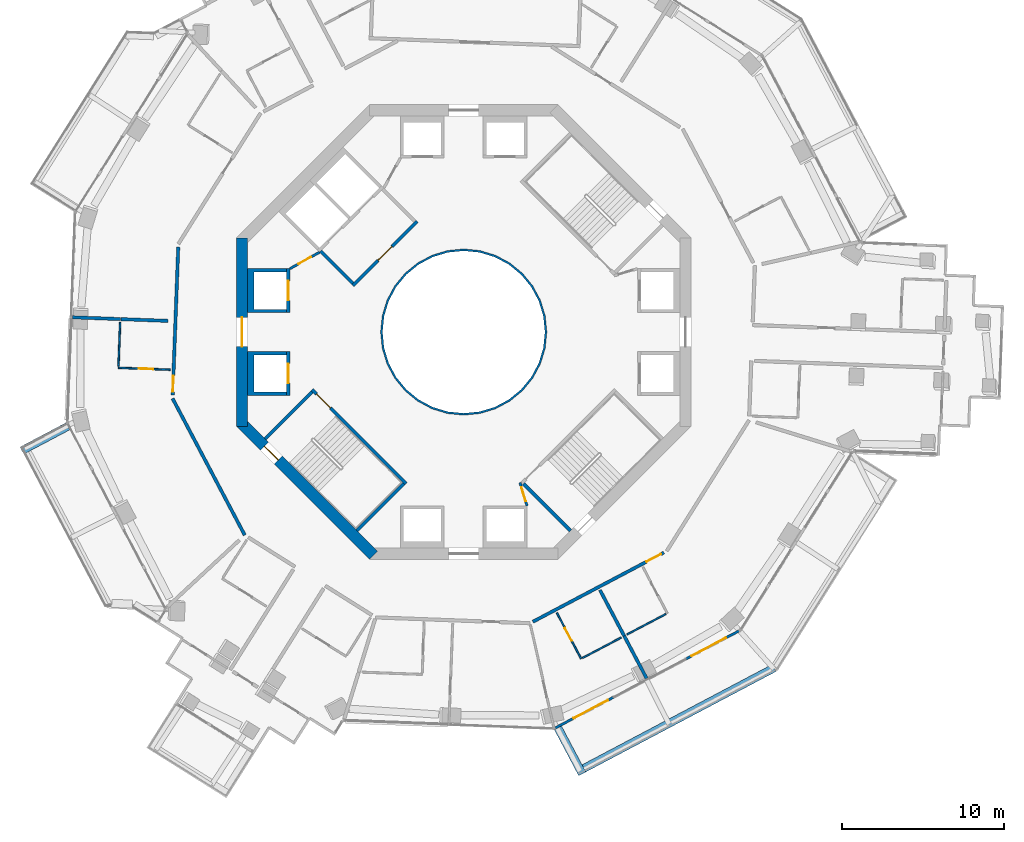
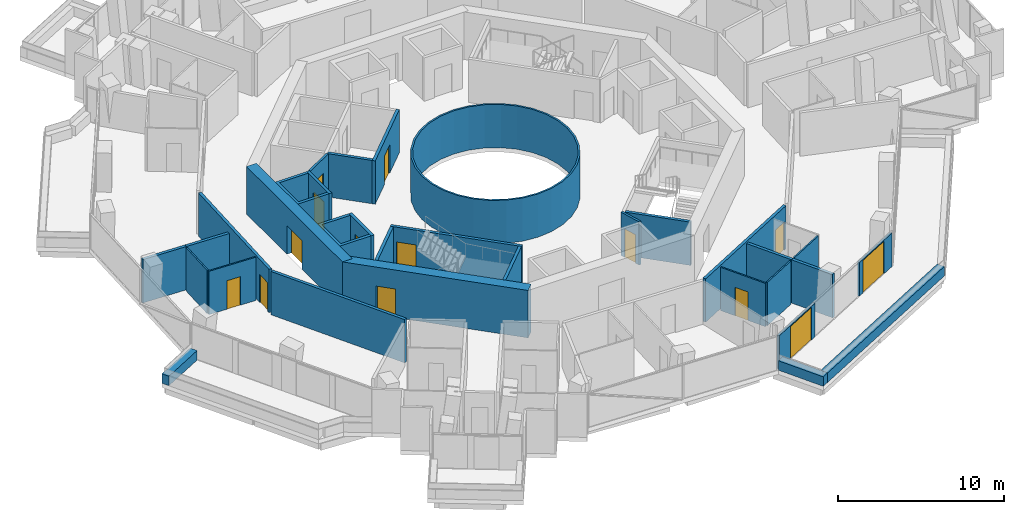
# One storey, part 16 of 23: 32 walls, 14 doors, 14 openings.
"""IFC4 building model written with IfcOpenShell, lengths in metres."""

from ifc_helpers import new_model, si_unit, direction, frame, frame_2d, origin, place, context, subcontext, project, spatial, polyline, rectangle, outline, extrude, material, layer, layer_set, type_object, element, fill, save


model = new_model("IFC4")

# Units and contexts
model_context = context("Model", 3, precision=1e-05, world=origin(), true_north=direction((0.0, 1.0)))
body_context = subcontext(model_context, "Body", "Model", "MODEL_VIEW")
ifc_project = project(units=[si_unit("LENGTHUNIT", "METRE"), si_unit("AREAUNIT", "SQUARE_METRE"), si_unit("VOLUMEUNIT", "CUBIC_METRE"), si_unit("PLANEANGLEUNIT", "RADIAN"), si_unit("MASSUNIT", "GRAM", prefix="KILO")], contexts=[model_context])

# Site, building, storey
site_placement = place(None, origin())
site = spatial("IfcSite", under=ifc_project, at=site_placement, CompositionType="ELEMENT")
building_placement = place(site_placement, origin())
building = spatial("IfcBuilding", under=site, at=building_placement, Name="Verdalira Terraces Hotel", CompositionType="ELEMENT")
storey_placement = place(building_placement, frame((0.0, 0.0, 147.0)))
storey = spatial("IfcBuildingStorey", under=building, at=storey_placement, Name="L35", CompositionType="ELEMENT", Elevation=147.0)

# Walls
ifc_material_1 = material(Name="Fire-resisting glass EI 180", Category="glass")
ifc_layer_1 = layer(ifc_material_1, 0.1201171875)
ifc_layer_set_1 = layer_set([ifc_layer_1], Name="Atrium fire screen 120 mm")
wall_type_1 = type_object("IfcWallType", Name="Atrium fire screen 120 mm", PredefinedType="SOLIDWALL", material=ifc_layer_set_1)
wall_1_placement = place(storey_placement, origin())
element("IfcWall", 1, at=wall_1_placement, inside=storey, type_object=wall_type_1, Name="Atrium fire screen", PredefinedType="SOLIDWALL", context=body_context, shape_type="SweptSolid", body=[
    extrude(outline(polyline([(5.021484, -0.998779), (4.730225, -1.959229), (4.25708, -2.844482), (3.620361, -3.620361), (2.844482, -4.25708), (1.959229, -4.730225), (0.998779, -5.021484), (0.0, -5.120117), (-0.998779, -5.021484), (-1.959229, -4.730225), (-2.844482, -4.25708), (-3.620361, -3.620361), (-4.25708, -2.844482), (-4.730225, -1.959229), (-5.021484, -0.998779), (-5.120117, 0.0), (-5.021484, 0.998779), (-4.730225, 1.959229), (-4.25708, 2.844482), (-3.620361, 3.620361), (-2.844482, 4.25708), (-1.959229, 4.730225), (-0.998779, 5.021484), (0.0, 5.120117), (0.998779, 5.021484), (1.959229, 4.730225), (2.844482, 4.25708), (3.620361, 3.620361), (4.25708, 2.844482), (4.730225, 1.959229), (5.021484, 0.998779), (5.120117, 0.0), (5.021484, -0.998779)]), holes=[polyline([(4.903809, 0.975586), (4.619385, 1.91333), (4.157227, 2.777832), (3.5354, 3.5354), (2.777832, 4.157227), (1.91333, 4.619385), (0.975586, 4.903809), (0.0, 5.0), (-0.975586, 4.903809), (-1.91333, 4.619385), (-2.777832, 4.157227), (-3.5354, 3.5354), (-4.157227, 2.777832), (-4.619385, 1.91333), (-4.903809, 0.975586), (-5.0, 0.0), (-4.903809, -0.975586), (-4.619385, -1.91333), (-4.157227, -2.777832), (-3.5354, -3.5354), (-2.777832, -4.157227), (-1.91333, -4.619385), (-0.975586, -4.903809), (0.0, -5.0), (0.975586, -4.903809), (1.91333, -4.619385), (2.777832, -4.157227), (3.5354, -3.5354), (4.157227, -2.777832), (4.619385, -1.91333), (4.903809, -0.975586), (5.0, 0.0), (4.903809, 0.975586)])]), origin(), (0.0, 0.0, 1.0), 3.189941),
])
ifc_material_2 = material(Name="Concrete C40", Category="concrete")
ifc_layer_2 = layer(ifc_material_2, 0.5)
ifc_layer_set_2 = layer_set([ifc_layer_2], Name="Balcony planter trough with tree")
wall_type_2 = type_object("IfcWallType", Name="Balcony planter trough with tree", PredefinedType="SOLIDWALL", material=ifc_layer_set_2)
for number, where, z_axis, x_axis, name in (
    (2, (-24.370117, -5.80249, 0.0), (0.0, 0.0, 1.0), (-0.884238577, -0.467035479, 0.0), "Balcony planter"),
    (3, (5.80249, -24.370117, 0.0), (0.0, 0.0, 1.0), (0.467035479, -0.884238577, 0.0), "Balcony planter"),
):
    element("IfcWall", number, at=place(storey_placement, frame(where, z_axis=z_axis, x_axis=x_axis)), inside=storey, type_object=wall_type_2, Name=name, PredefinedType="SOLIDWALL", context=body_context, shape_type="SweptSolid", body=[
        extrude(rectangle(XDim=3.199219, YDim=0.5, at=frame_2d((1.599609, 0.0))), origin(), (0.0, 0.0, 1.0), 0.699951),
    ])
wall_2_placement = place(storey_placement, frame((7.400879, -26.861084, 0.0), z_axis=(0.0, 0.0, 1.0), x_axis=(0.884258121, 0.466998474, 0.0)))
element("IfcWall", 4, at=wall_2_placement, inside=storey, type_object=wall_type_2, Name="Balcony planter", PredefinedType="SOLIDWALL", context=body_context, shape_type="SweptSolid", body=[
    extrude(rectangle(XDim=13.223389, YDim=0.5, at=frame_2d((6.611816, 0.0))), origin(), (0.0, 0.0, 1.0), 0.699951),
])
ifc_material_3 = material(Name="Moisture-resistant gypsum board partition")
ifc_layer_3 = layer(ifc_material_3, 0.10009765625)
ifc_layer_set_3 = layer_set([ifc_layer_3], Name="Bathroom partition 100 mm")
wall_type_3 = type_object("IfcWallType", Name="Bathroom partition 100 mm", PredefinedType="PARTITIONING", material=ifc_layer_set_3)
wall_3_placement = place(storey_placement, frame((-21.252686, -2.100586, 0.0), z_axis=(0.0, 0.0, 1.0), x_axis=(0.037703899, 0.999288955, 0.0)))
element("IfcWall", 5, at=wall_3_placement, inside=storey, type_object=wall_type_3, Name="Bathroom partition", PredefinedType="PARTITIONING", context=body_context, shape_type="SweptSolid", body=[
    extrude(rectangle(XDim=2.700195, YDim=0.100098, at=frame_2d((1.350098, 0.0))), origin(), (0.0, 0.0, 1.0), 3.189941),
])

# Wall, opening, door
wall_4_placement = place(storey_placement, frame((-21.256348, -2.200439, 0.0), z_axis=(0.0, 0.0, 1.0), x_axis=(0.999289522, -0.037688886, 0.0)))
wall_4 = element("IfcWall", 6, at=wall_4_placement, inside=storey, type_object=wall_type_3, Name="Bathroom partition", PredefinedType="PARTITIONING", context=body_context, shape_type="SweptSolid", body=[
    extrude(rectangle(XDim=3.199951, YDim=0.100098, at=frame_2d((1.600098, 0.0))), origin(), (0.0, 0.0, 1.0), 3.189941),
])
opening_1_placement = place(wall_4_placement, frame((1.25, 0.0, 0.0)))
opening_1 = element("IfcOpeningElement", 7, at=opening_1_placement, cuts=wall_4, Name="Opening L35-109", PredefinedType="OPENING", context=body_context, shape_type="SweptSolid", body=[
    extrude(rectangle(XDim=0.899902, YDim=2.100098, at=frame_2d((0.449951, 1.050049))), frame((0.0, 0.060059, 0.0), z_axis=(0.0, -1.0, 0.0), x_axis=(1.0, 0.0, 0.0)), (0.0, 0.0, 1.0), 0.120117),
])
ifc_material_4 = material(Name="Timber door", Category="wood")
door_type_1 = type_object("IfcDoorType", Name="Bathroom door 900 x 2100", OperationType="NOTDEFINED", PredefinedType="DOOR", material=ifc_material_4)
door_1_placement = place(opening_1_placement, origin())
door_1 = element("IfcDoor", 8, at=door_1_placement, inside=storey, type_object=door_type_1, Name="Bathroom door 3504", OperationType="SINGLE_SWING_LEFT", OverallHeight=2.10009765625, OverallWidth=0.89990234375, PredefinedType="DOOR", context=body_context, shape_type="SweptSolid", body=[
    extrude(rectangle(XDim=0.899902, YDim=2.100098, at=frame_2d((0.449951, 1.050049))), frame((0.0, 0.024902, 0.0), z_axis=(0.0, -1.0, 0.0), x_axis=(1.0, 0.0, 0.0)), (0.0, 0.0, 1.0), 0.050049),
])
fill(opening_1, door_1)

wall_5_placement = place(storey_placement, frame((5.733887, -17.280762, 0.0), z_axis=(0.0, 0.0, 1.0), x_axis=(0.467000609, -0.884256994, 0.0)))
wall_5 = element("IfcWall", 9, at=wall_5_placement, inside=storey, type_object=wall_type_3, Name="Bathroom partition", PredefinedType="PARTITIONING", context=body_context, shape_type="SweptSolid", body=[
    extrude(rectangle(XDim=3.199951, YDim=0.100098, at=frame_2d((1.600098, 0.0))), origin(), (0.0, 0.0, 1.0), 3.189941),
])
opening_2_placement = place(wall_5_placement, frame((1.050049, 0.0, 0.0)))
opening_2 = element("IfcOpeningElement", 10, at=opening_2_placement, cuts=wall_5, Name="Opening L35-119", PredefinedType="OPENING", context=body_context, shape_type="SweptSolid", body=[
    extrude(rectangle(XDim=0.899902, YDim=2.100098, at=frame_2d((0.449951, 1.050049))), frame((0.0, 0.060059, 0.0), z_axis=(0.0, -1.0, 0.0), x_axis=(1.0, 0.0, 0.0)), (0.0, 0.0, 1.0), 0.120117),
])
door_2_placement = place(opening_2_placement, origin())
door_2 = element("IfcDoor", 11, at=door_2_placement, inside=storey, type_object=door_type_1, Name="Bathroom door 3506", OperationType="SINGLE_SWING_RIGHT", OverallHeight=2.10009765625, OverallWidth=0.89990234375, PredefinedType="DOOR", context=body_context, shape_type="SweptSolid", body=[
    extrude(rectangle(XDim=0.899902, YDim=2.100098, at=frame_2d((0.449951, 1.050049))), frame((0.0, 0.024902, 0.0), z_axis=(0.0, -1.0, 0.0), x_axis=(1.0, 0.0, 0.0)), (0.0, 0.0, 1.0), 0.050049),
])
fill(opening_2, door_2)

# Walls
for number, where, z_axis, x_axis, name in (
    (12, (7.31665, -20.063721, 0.0), (0.0, 0.0, 1.0), (0.884240591, 0.467031665, 0.0), "Bathroom partition"),
    (13, (12.445312, -17.35498, 0.0), (0.0, 0.0, 1.0), (-0.884240591, -0.467031665, 0.0), "Bathroom partition"),
):
    element("IfcWall", number, at=place(storey_placement, frame(where, z_axis=z_axis, x_axis=x_axis)), inside=storey, type_object=wall_type_3, Name=name, PredefinedType="PARTITIONING", context=body_context, shape_type="SweptSolid", body=[
        extrude(rectangle(XDim=2.699951, YDim=0.100098, at=frame_2d((1.350098, 0.0))), origin(), (0.0, 0.0, 1.0), 3.189941),
    ])
ifc_material_5 = material(Name="Concrete C50", Category="concrete")
ifc_layer_4 = layer(ifc_material_5, 0.199951171875)
ifc_layer_set_4 = layer_set([ifc_layer_4], Name="Core RC wall 200 C50")
wall_type_4 = type_object("IfcWallType", Name="Core RC wall 200 C50", PredefinedType="SOLIDWALL", material=ifc_layer_set_4)
wall_6_placement = place(storey_placement, origin())
element("IfcWall", 14, at=wall_6_placement, inside=storey, type_object=wall_type_4, Name="L35 shaft wall W1", PredefinedType="SOLIDWALL", context=body_context, shape_type="SweptSolid", body=[
    extrude(outline(polyline([(-13.300049, 3.899902), (-10.899902, 3.899902), (-10.899902, 3.699951), (-12.899902, 3.699951), (-12.899902, 1.399902), (-10.899902, 1.399902), (-10.899902, 1.199951), (-13.300049, 1.199951), (-13.300049, 3.899902)])), origin(), (0.0, 0.0, 1.0), 3.189941),
])

# Wall, opening, door
wall_7_placement = place(storey_placement, frame((-10.800049, 1.199951, 0.0), z_axis=(0.0, 0.0, 1.0), x_axis=(0.0, 1.0, 0.0)))
wall_7 = element("IfcWall", 15, at=wall_7_placement, inside=storey, type_object=wall_type_4, Name="L35 shaft front wall W1", PredefinedType="SOLIDWALL", context=body_context, shape_type="SweptSolid", body=[
    extrude(rectangle(XDim=2.699951, YDim=0.199951, at=frame_2d((1.350098, 0.0))), origin(), (0.0, 0.0, 1.0), 3.189941),
])
opening_3_placement = place(wall_7_placement, frame((0.75, 0.0, 0.0)))
opening_3 = element("IfcOpeningElement", 16, at=opening_3_placement, cuts=wall_7, Name="Opening LD-L35-805", PredefinedType="OPENING", context=body_context, shape_type="SweptSolid", body=[
    extrude(rectangle(XDim=1.199951, YDim=2.100098, at=frame_2d((0.600098, 1.050049))), frame((0.0, 0.109863, 0.0), z_axis=(0.0, -1.0, 0.0), x_axis=(1.0, 0.0, 0.0)), (0.0, 0.0, 1.0), 0.219971),
])
ifc_material_6 = material(Name="Stainless steel", Category="steel")
door_type_2 = type_object("IfcDoorType", Name="Landing door 1200 x 2100", OperationType="NOTDEFINED", PredefinedType="DOOR", material=ifc_material_6)
door_3_placement = place(opening_3_placement, origin())
door_3 = element("IfcDoor", 17, at=door_3_placement, inside=storey, type_object=door_type_2, Name="Lift landing door LR5 L35", OperationType="DOUBLE_DOOR_SLIDING", OverallHeight=2.10009765625, OverallWidth=1.199951171875, PredefinedType="DOOR", context=body_context, shape_type="SweptSolid", body=[
    extrude(rectangle(XDim=1.199951, YDim=2.100098, at=frame_2d((0.600098, 1.050049))), frame((0.0, 0.024902, 0.0), z_axis=(0.0, -1.0, 0.0), x_axis=(1.0, 0.0, 0.0)), (0.0, 0.0, 1.0), 0.050049),
])
fill(opening_3, door_3)

# Wall
wall_8_placement = place(storey_placement, origin())
element("IfcWall", 18, at=wall_8_placement, inside=storey, type_object=wall_type_4, Name="L35 shaft wall W2", PredefinedType="SOLIDWALL", context=body_context, shape_type="SweptSolid", body=[
    extrude(outline(polyline([(-13.300049, -3.899902), (-13.300049, -1.199951), (-10.899902, -1.199951), (-10.899902, -1.399902), (-12.899902, -1.399902), (-12.899902, -3.699951), (-10.899902, -3.699951), (-10.899902, -3.899902), (-13.300049, -3.899902)])), origin(), (0.0, 0.0, 1.0), 3.189941),
])

# Wall, opening, door
wall_9_placement = place(storey_placement, frame((-10.800049, -1.199951, 0.0), z_axis=(0.0, 0.0, 1.0), x_axis=(0.0, -1.0, 0.0)))
wall_9 = element("IfcWall", 19, at=wall_9_placement, inside=storey, type_object=wall_type_4, Name="L35 shaft front wall W2", PredefinedType="SOLIDWALL", context=body_context, shape_type="SweptSolid", body=[
    extrude(rectangle(XDim=2.699951, YDim=0.199951, at=frame_2d((1.350098, 0.0))), origin(), (0.0, 0.0, 1.0), 3.189941),
])
opening_4_placement = place(wall_9_placement, frame((0.75, 0.0, 0.0)))
opening_4 = element("IfcOpeningElement", 20, at=opening_4_placement, cuts=wall_9, Name="Opening LD-L35-806", PredefinedType="OPENING", context=body_context, shape_type="SweptSolid", body=[
    extrude(rectangle(XDim=1.199951, YDim=2.100098, at=frame_2d((0.600098, 1.050049))), frame((0.0, 0.109863, 0.0), z_axis=(0.0, -1.0, 0.0), x_axis=(1.0, 0.0, 0.0)), (0.0, 0.0, 1.0), 0.219971),
])
door_4_placement = place(opening_4_placement, origin())
door_4 = element("IfcDoor", 21, at=door_4_placement, inside=storey, type_object=door_type_2, Name="Lift landing door LR6 L35", OperationType="DOUBLE_DOOR_SLIDING", OverallHeight=2.10009765625, OverallWidth=1.199951171875, PredefinedType="DOOR", context=body_context, shape_type="SweptSolid", body=[
    extrude(rectangle(XDim=1.199951, YDim=2.100098, at=frame_2d((0.600098, 1.050049))), frame((0.0, 0.024902, 0.0), z_axis=(0.0, -1.0, 0.0), x_axis=(1.0, 0.0, 0.0)), (0.0, 0.0, 1.0), 0.050049),
])
fill(opening_4, door_4)

wall_10_placement = place(storey_placement, frame((-3.5354, -9.33374, 0.0), z_axis=(0.0, 0.0, 1.0), x_axis=(-0.707106781, 0.707106781, 0.0)))
wall_10 = element("IfcWall", 22, at=wall_10_placement, inside=storey, type_object=wall_type_4, Name="L35 stair ST2 front wall", PredefinedType="SOLIDWALL", context=body_context, shape_type="SweptSolid", body=[
    extrude(rectangle(XDim=8.200195, YDim=0.199951, at=frame_2d((4.100098, 0.0))), origin(), (0.0, 0.0, 1.0), 3.189941),
])
opening_5_placement = place(wall_10_placement, frame((6.600098, 0.0, 0.0)))
opening_5 = element("IfcOpeningElement", 23, at=opening_5_placement, cuts=wall_10, Name="Opening L35-810", PredefinedType="OPENING", context=body_context, shape_type="SweptSolid", body=[
    extrude(rectangle(XDim=1.199951, YDim=2.100098, at=frame_2d((0.600098, 1.050049))), frame((0.0, 0.109863, 0.0), z_axis=(0.0, -1.0, 0.0), x_axis=(1.0, 0.0, 0.0)), (0.0, 0.0, 1.0), 0.219971),
])
ifc_material_7 = material(Name="Steel fire door", Category="steel")
door_type_3 = type_object("IfcDoorType", Name="Stair door 1200 x 2100", OperationType="NOTDEFINED", PredefinedType="DOOR", material=ifc_material_7)
door_5_placement = place(opening_5_placement, origin())
door_5 = element("IfcDoor", 24, at=door_5_placement, inside=storey, type_object=door_type_3, Name="Stair door ST2 L35", OperationType="SINGLE_SWING_RIGHT", OverallHeight=2.10009765625, OverallWidth=1.199951171875, PredefinedType="DOOR", context=body_context, shape_type="SweptSolid", body=[
    extrude(rectangle(XDim=1.199951, YDim=2.100098, at=frame_2d((0.600098, 1.050049))), frame((0.0, 0.024902, 0.0), z_axis=(0.0, -1.0, 0.0), x_axis=(1.0, 0.0, 0.0)), (0.0, 0.0, 1.0), 0.050049),
])
fill(opening_5, door_5)

# Walls
for number, where, z_axis, x_axis, name in (
    (25, (-9.33374, -3.677002, 0.0), (0.0, 0.0, 1.0), (-0.707106781, -0.707106781, 0.0), "L35 stair ST2 end wall 1"),
    (26, (-3.677002, -9.33374, 0.0), (0.0, 0.0, 1.0), (-0.707106781, -0.707106781, 0.0), "L35 stair ST2 end wall 2"),
    (27, (3.677002, -9.33374, 0.0), (0.0, 0.0, 1.0), (0.707106781, -0.707106781, 0.0), "L35 stair ST3 end wall 1"),
):
    element("IfcWall", number, at=place(storey_placement, frame(where, z_axis=z_axis, x_axis=x_axis)), inside=storey, type_object=wall_type_4, Name=name, PredefinedType="SOLIDWALL", context=body_context, shape_type="SweptSolid", body=[
        extrude(rectangle(XDim=4.100098, YDim=0.199951, at=frame_2d((2.050049, 0.0))), origin(), (0.0, 0.0, 1.0), 3.189941),
    ])

# Wall, opening, door
wall_11_placement = place(storey_placement, frame((-2.86377, 6.823486, 0.0), z_axis=(0.0, 0.0, 1.0), x_axis=(-0.707106781, -0.707106781, 0.0)))
wall_11 = element("IfcWall", 28, at=wall_11_placement, inside=storey, type_object=wall_type_4, Name="L35 fire lobby wall", PredefinedType="SOLIDWALL", context=body_context, shape_type="SweptSolid", body=[
    extrude(rectangle(XDim=5.599854, YDim=0.199951, at=frame_2d((2.799805, 0.0))), origin(), (0.0, 0.0, 1.0), 3.189941),
])
opening_6_placement = place(wall_11_placement, frame((2.199951, 0.0, 0.0)))
opening_6 = element("IfcOpeningElement", 29, at=opening_6_placement, cuts=wall_11, Name="Opening L35-819", PredefinedType="OPENING", context=body_context, shape_type="SweptSolid", body=[
    extrude(rectangle(XDim=1.199951, YDim=2.100098, at=frame_2d((0.600098, 1.050049))), frame((0.0, 0.109863, 0.0), z_axis=(0.0, -1.0, 0.0), x_axis=(1.0, 0.0, 0.0)), (0.0, 0.0, 1.0), 0.219971),
])
ifc_material_8 = material(Name="Steel fire door", Category="steel")
door_type_4 = type_object("IfcDoorType", Name="Lobby door 1200 x 2100", OperationType="NOTDEFINED", PredefinedType="DOOR", material=ifc_material_8)
door_6_placement = place(opening_6_placement, origin())
door_6 = element("IfcDoor", 30, at=door_6_placement, inside=storey, type_object=door_type_4, Name="Fire lobby door L35", OperationType="SINGLE_SWING_LEFT", OverallHeight=2.10009765625, OverallWidth=1.199951171875, PredefinedType="DOOR", context=body_context, shape_type="SweptSolid", body=[
    extrude(rectangle(XDim=1.199951, YDim=2.100098, at=frame_2d((0.600098, 1.050049))), frame((0.0, 0.024902, 0.0), z_axis=(0.0, -1.0, 0.0), x_axis=(1.0, 0.0, 0.0)), (0.0, 0.0, 1.0), 0.050049),
])
fill(opening_6, door_6)

# Wall
wall_12_placement = place(storey_placement, frame((-6.823486, 3.005127, 0.0), z_axis=(0.0, 0.0, 1.0), x_axis=(-0.707106781, 0.707106781, 0.0)))
element("IfcWall", 31, at=wall_12_placement, inside=storey, type_object=wall_type_4, Name="L35 fire lobby wall", PredefinedType="SOLIDWALL", context=body_context, shape_type="SweptSolid", body=[
    extrude(rectangle(XDim=2.800049, YDim=0.199951, at=frame_2d((1.399902, 0.0))), origin(), (0.0, 0.0, 1.0), 3.189941),
])

# Wall, opening, door
ifc_material_9 = material(Name="Gypsum board partition")
ifc_layer_5 = layer(ifc_material_9, 0.14990234375)
ifc_layer_set_5 = layer_set([ifc_layer_5], Name="Core partition 150 mm")
wall_type_5 = type_object("IfcWallType", Name="Core partition 150 mm", PredefinedType="PARTITIONING", material=ifc_layer_set_5)
wall_13_placement = place(storey_placement, frame((-8.874268, 4.914307, 0.0), z_axis=(0.0, 0.0, 1.0), x_axis=(-0.874129705, -0.485692555, 0.0)))
wall_13 = element("IfcWall", 32, at=wall_13_placement, inside=storey, type_object=wall_type_5, Name="Room partition L35", PredefinedType="PARTITIONING", context=body_context, shape_type="SweptSolid", body=[
    extrude(rectangle(XDim=2.088623, YDim=0.149902, at=frame_2d((1.044434, 0.0))), origin(), (0.0, 0.0, 1.0), 3.189941),
])
opening_7_placement = place(wall_13_placement, frame((0.594238, 0.0, 0.0)))
opening_7 = element("IfcOpeningElement", 33, at=opening_7_placement, cuts=wall_13, Name="Opening L35-822", PredefinedType="OPENING", context=body_context, shape_type="SweptSolid", body=[
    extrude(rectangle(XDim=0.899902, YDim=2.100098, at=frame_2d((0.449951, 1.050049))), frame((0.0, 0.084961, 0.0), z_axis=(0.0, -1.0, 0.0), x_axis=(1.0, 0.0, 0.0)), (0.0, 0.0, 1.0), 0.169922),
])
ifc_material_10 = material(Name="Steel fire door", Category="steel")
door_type_5 = type_object("IfcDoorType", Name="Core room door 900 x 2100", OperationType="NOTDEFINED", PredefinedType="DOOR", material=ifc_material_10)
door_7_placement = place(opening_7_placement, origin())
door_7 = element("IfcDoor", 34, at=door_7_placement, inside=storey, type_object=door_type_5, Name="Door L35 room3", OperationType="SINGLE_SWING_LEFT", OverallHeight=2.10009765625, OverallWidth=0.89990234375, PredefinedType="DOOR", context=body_context, shape_type="SweptSolid", body=[
    extrude(rectangle(XDim=0.899902, YDim=2.100098, at=frame_2d((0.449951, 1.050049))), frame((0.0, 0.024902, 0.0), z_axis=(0.0, -1.0, 0.0), x_axis=(1.0, 0.0, 0.0)), (0.0, 0.0, 1.0), 0.050049),
])
fill(opening_7, door_7)

wall_14_placement = place(storey_placement, frame((3.899902, -10.699951, 0.0), z_axis=(0.0, 0.0, 1.0), x_axis=(-0.289808785, 0.957084567, 0.0)))
wall_14 = element("IfcWall", 35, at=wall_14_placement, inside=storey, type_object=wall_type_5, Name="Room partition L35", PredefinedType="PARTITIONING", context=body_context, shape_type="SweptSolid", body=[
    extrude(rectangle(XDim=1.501221, YDim=0.149902, at=frame_2d((0.750488, 0.0))), origin(), (0.0, 0.0, 1.0), 3.189941),
])
opening_8_placement = place(wall_14_placement, frame((0.300781, 0.0, 0.0)))
opening_8 = element("IfcOpeningElement", 36, at=opening_8_placement, cuts=wall_14, Name="Opening L35-823", PredefinedType="OPENING", context=body_context, shape_type="SweptSolid", body=[
    extrude(rectangle(XDim=0.899902, YDim=2.100098, at=frame_2d((0.449951, 1.050049))), frame((0.0, 0.084961, 0.0), z_axis=(0.0, -1.0, 0.0), x_axis=(1.0, 0.0, 0.0)), (0.0, 0.0, 1.0), 0.169922),
])
door_8_placement = place(opening_8_placement, origin())
door_8 = element("IfcDoor", 37, at=door_8_placement, inside=storey, type_object=door_type_5, Name="Door L35 room6", OperationType="SINGLE_SWING_LEFT", OverallHeight=2.10009765625, OverallWidth=0.89990234375, PredefinedType="DOOR", context=body_context, shape_type="SweptSolid", body=[
    extrude(rectangle(XDim=0.899902, YDim=2.100098, at=frame_2d((0.449951, 1.050049))), frame((0.0, 0.024902, 0.0), z_axis=(0.0, -1.0, 0.0), x_axis=(1.0, 0.0, 0.0)), (0.0, 0.0, 1.0), 0.050049),
])
fill(opening_8, door_8)

ifc_material_11 = material(Name="Concrete C60", Category="concrete")
ifc_layer_6 = layer(ifc_material_11, 0.699951171875)
ifc_layer_set_6 = layer_set([ifc_layer_6], Name="Core wall 700 C60")
wall_type_6 = type_object("IfcWallType", Name="Core wall 700 C60", PredefinedType="SHEAR", material=ifc_layer_set_6)
wall_15_placement = place(storey_placement, frame((-13.649902, 5.799072, 0.0), z_axis=(0.0, 0.0, 1.0), x_axis=(0.0, -1.0, 0.0)))
wall_15 = element("IfcWall", 38, at=wall_15_placement, inside=storey, type_object=wall_type_6, Name="Core wall CW-L35-5", PredefinedType="SHEAR", context=body_context, shape_type="SweptSolid", body=[
    extrude(rectangle(XDim=11.598145, YDim=0.699951, at=frame_2d((5.799072, 0.0))), origin(), (0.0, 0.0, 1.0), 3.5),
])
opening_9_placement = place(wall_15_placement, frame((4.898926, 0.0, 0.0)))
opening_9 = element("IfcOpeningElement", 39, at=opening_9_placement, cuts=wall_15, Name="Opening L35-814", PredefinedType="OPENING", context=body_context, shape_type="SweptSolid", body=[
    extrude(rectangle(XDim=1.800049, YDim=2.100098, at=frame_2d((0.899902, 1.050049))), frame((0.0, 0.359863, 0.0), z_axis=(0.0, -1.0, 0.0), x_axis=(1.0, 0.0, 0.0)), (0.0, 0.0, 1.0), 0.719971),
])
ifc_material_12 = material(Name="Steel fire door", Category="steel")
door_type_6 = type_object("IfcDoorType", Name="Core entry door pair 1800 x 2100", OperationType="NOTDEFINED", PredefinedType="DOOR", material=ifc_material_12)
door_9_placement = place(opening_9_placement, origin())
door_9 = element("IfcDoor", 40, at=door_9_placement, inside=storey, type_object=door_type_6, Name="Core entry door L35 4", OperationType="DOUBLE_DOOR_SINGLE_SWING", OverallHeight=2.10009765625, OverallWidth=1.800048828125, PredefinedType="DOOR", context=body_context, shape_type="SweptSolid", body=[
    extrude(rectangle(XDim=1.800049, YDim=2.100098, at=frame_2d((0.899902, 1.050049))), frame((0.0, 0.024902, 0.0), z_axis=(0.0, -1.0, 0.0), x_axis=(1.0, 0.0, 0.0)), (0.0, 0.0, 1.0), 0.050049),
])
fill(opening_9, door_9)

wall_16_placement = place(storey_placement, frame((-13.752441, -5.551514, 0.0), z_axis=(0.0, 0.0, 1.0), x_axis=(0.707106781, -0.707106781, 0.0)))
wall_16 = element("IfcWall", 41, at=wall_16_placement, inside=storey, type_object=wall_type_6, Name="Core wall CW-L35-6", PredefinedType="SHEAR", context=body_context, shape_type="SweptSolid", body=[
    extrude(rectangle(XDim=11.5979, YDim=0.699951, at=frame_2d((5.798828, 0.0))), origin(), (0.0, 0.0, 1.0), 3.5),
])
opening_10_placement = place(wall_16_placement, frame((2.099121, 0.0, 0.0)))
opening_10 = element("IfcOpeningElement", 42, at=opening_10_placement, cuts=wall_16, Name="Opening L35-817", PredefinedType="OPENING", context=body_context, shape_type="SweptSolid", body=[
    extrude(rectangle(XDim=1.199951, YDim=2.100098, at=frame_2d((0.600098, 1.050049))), frame((0.0, 0.359863, 0.0), z_axis=(0.0, -1.0, 0.0), x_axis=(1.0, 0.0, 0.0)), (0.0, 0.0, 1.0), 0.719971),
])
door_10_placement = place(opening_10_placement, origin())
door_10 = element("IfcDoor", 43, at=door_10_placement, inside=storey, type_object=door_type_3, Name="Stair exit door ST2 L35", OperationType="SINGLE_SWING_LEFT", OverallHeight=2.10009765625, OverallWidth=1.199951171875, PredefinedType="DOOR", context=body_context, shape_type="SweptSolid", body=[
    extrude(rectangle(XDim=1.199951, YDim=2.100098, at=frame_2d((0.600098, 1.050049))), frame((0.0, 0.024902, 0.0), z_axis=(0.0, -1.0, 0.0), x_axis=(1.0, 0.0, 0.0)), (0.0, 0.0, 1.0), 0.050049),
])
fill(opening_10, door_10)

# Walls
ifc_material_13 = material(Name="Fire-rated gypsum board wall")
ifc_layer_7 = layer(ifc_material_13, 0.199951171875)
ifc_layer_set_7 = layer_set([ifc_layer_7], Name="Demising wall 200 mm")
wall_type_7 = type_object("IfcWallType", Name="Demising wall 200 mm", PredefinedType="SOLIDWALL", material=ifc_layer_set_7)
wall_17_placement = place(storey_placement, frame((-21.141357, 0.797363, 0.0), z_axis=(0.0, 0.0, 1.0), x_axis=(-0.999288645, 0.037712126, 0.0)))
element("IfcWall", 44, at=wall_17_placement, inside=storey, type_object=wall_type_7, Name="Demising wall", PredefinedType="SOLIDWALL", context=body_context, shape_type="SweptSolid", body=[
    extrude(rectangle(XDim=2.952148, YDim=0.199951, at=frame_2d((1.476074, 0.0))), origin(), (0.0, 0.0, 1.0), 3.189941),
])
wall_18_placement = place(storey_placement, frame((-18.192627, 0.686279, 0.0), z_axis=(0.0, 0.0, 1.0), x_axis=(-0.999290793, 0.037655167, 0.0)))
element("IfcWall", 45, at=wall_18_placement, inside=storey, type_object=wall_type_7, Name="Demising wall", PredefinedType="SOLIDWALL", context=body_context, shape_type="SweptSolid", body=[
    extrude(rectangle(XDim=2.904541, YDim=0.199951, at=frame_2d((1.452148, 0.0))), origin(), (0.0, 0.0, 1.0), 3.189941),
])
wall_19_placement = place(storey_placement, frame((8.386719, -15.879639, 0.0), z_axis=(0.0, 0.0, 1.0), x_axis=(0.466969105, -0.884273631, 0.0)))
element("IfcWall", 46, at=wall_19_placement, inside=storey, type_object=wall_type_7, Name="Demising wall", PredefinedType="SOLIDWALL", context=body_context, shape_type="SweptSolid", body=[
    extrude(rectangle(XDim=3.200195, YDim=0.199951, at=frame_2d((1.600098, 0.0))), origin(), (0.0, 0.0, 1.0), 3.189941),
])
wall_20_placement = place(storey_placement, frame((9.881104, -18.709473, 0.0), z_axis=(0.0, 0.0, 1.0), x_axis=(0.46703191, -0.884240462, 0.0)))
element("IfcWall", 47, at=wall_20_placement, inside=storey, type_object=wall_type_7, Name="Demising wall", PredefinedType="SOLIDWALL", context=body_context, shape_type="SweptSolid", body=[
    extrude(rectangle(XDim=2.949951, YDim=0.199951, at=frame_2d((1.475098, 0.0))), origin(), (0.0, 0.0, 1.0), 3.189941),
])

# Wall, opening, door
ifc_material_14 = material(Name="Fire-rated gypsum board wall")
ifc_layer_8 = layer(ifc_material_14, 0.199951171875)
ifc_layer_set_8 = layer_set([ifc_layer_8], Name="Guest corridor wall 200 mm")
wall_type_8 = type_object("IfcWallType", Name="Guest corridor wall 200 mm", PredefinedType="SOLIDWALL", material=ifc_layer_set_8)
wall_21_placement = place(storey_placement, frame((-17.91748, -3.885254, 0.0), z_axis=(0.0, 0.0, 1.0), x_axis=(0.037683274, 0.999289733, 0.0)))
wall_21 = element("IfcWall", 48, at=wall_21_placement, inside=storey, type_object=wall_type_8, Name="Guest corridor wall", PredefinedType="SOLIDWALL", context=body_context, shape_type="SweptSolid", body=[
    extrude(rectangle(XDim=9.115723, YDim=0.199951, at=frame_2d((4.557861, 0.0))), origin(), (0.0, 0.0, 1.0), 3.189941),
])
opening_11_placement = place(wall_21_placement, frame((0.199951, 0.0, 0.0)))
opening_11 = element("IfcOpeningElement", 49, at=opening_11_placement, cuts=wall_21, Name="Opening L35-108", PredefinedType="OPENING", context=body_context, shape_type="SweptSolid", body=[
    extrude(rectangle(XDim=1.0, YDim=2.100098, at=frame_2d((0.5, 1.050049))), frame((0.0, 0.109863, 0.0), z_axis=(0.0, -1.0, 0.0), x_axis=(1.0, 0.0, 0.0)), (0.0, 0.0, 1.0), 0.219971),
])
ifc_material_15 = material(Name="Timber fire door", Category="wood")
door_type_7 = type_object("IfcDoorType", Name="Guest entry door 1000 x 2100", OperationType="NOTDEFINED", PredefinedType="DOOR", material=ifc_material_15)
door_11_placement = place(opening_11_placement, origin())
door_11 = element("IfcDoor", 50, at=door_11_placement, inside=storey, type_object=door_type_7, Name="Guest entry door 3504", OperationType="SINGLE_SWING_LEFT", OverallHeight=2.10009765625, OverallWidth=1.0, PredefinedType="DOOR", context=body_context, shape_type="SweptSolid", body=[
    extrude(rectangle(XDim=1.0, YDim=2.100098, at=frame_2d((0.5, 1.050049))), frame((0.0, 0.024902, 0.0), z_axis=(0.0, -1.0, 0.0), x_axis=(1.0, 0.0, 0.0)), (0.0, 0.0, 1.0), 0.050049),
])
fill(opening_11, door_11)

# Wall
wall_22_placement = place(storey_placement, frame((-17.924805, -4.086182, 0.0), z_axis=(0.0, 0.0, 1.0), x_axis=(0.467011659, -0.884251158, 0.0)))
element("IfcWall", 51, at=wall_22_placement, inside=storey, type_object=wall_type_8, Name="Guest corridor wall", PredefinedType="SOLIDWALL", context=body_context, shape_type="SweptSolid", body=[
    extrude(rectangle(XDim=9.516113, YDim=0.199951, at=frame_2d((4.758057, 0.0))), origin(), (0.0, 0.0, 1.0), 3.189941),
])

# Wall, opening, door
wall_23_placement = place(storey_placement, frame((12.323486, -13.574463, 0.0), z_axis=(0.0, 0.0, 1.0), x_axis=(-0.8842539, -0.467006467, 0.0)))
wall_23 = element("IfcWall", 52, at=wall_23_placement, inside=storey, type_object=wall_type_8, Name="Guest corridor wall", PredefinedType="SOLIDWALL", context=body_context, shape_type="SweptSolid", body=[
    extrude(rectangle(XDim=9.116211, YDim=0.199951, at=frame_2d((4.558105, 0.0))), origin(), (0.0, 0.0, 1.0), 3.189941),
])
opening_12_placement = place(wall_23_placement, frame((0.199951, 0.0, 0.0)))
opening_12 = element("IfcOpeningElement", 53, at=opening_12_placement, cuts=wall_23, Name="Opening L35-120", PredefinedType="OPENING", context=body_context, shape_type="SweptSolid", body=[
    extrude(rectangle(XDim=1.0, YDim=2.100098, at=frame_2d((0.5, 1.050049))), frame((0.0, 0.109863, 0.0), z_axis=(0.0, -1.0, 0.0), x_axis=(1.0, 0.0, 0.0)), (0.0, 0.0, 1.0), 0.219971),
])
door_12_placement = place(opening_12_placement, origin())
door_12 = element("IfcDoor", 54, at=door_12_placement, inside=storey, type_object=door_type_7, Name="Guest entry door 3507", OperationType="SINGLE_SWING_LEFT", OverallHeight=2.10009765625, OverallWidth=1.0, PredefinedType="DOOR", context=body_context, shape_type="SweptSolid", body=[
    extrude(rectangle(XDim=1.0, YDim=2.100098, at=frame_2d((0.5, 1.050049))), frame((0.0, 0.024902, 0.0), z_axis=(0.0, -1.0, 0.0), x_axis=(1.0, 0.0, 0.0)), (0.0, 0.0, 1.0), 0.050049),
])
fill(opening_12, door_12)

ifc_material_16 = material(Name="Terracotta cladding", Category="masonry")
ifc_layer_9 = layer(ifc_material_16, 0.14990234375)
ifc_layer_set_9 = layer_set([ifc_layer_9], Name="Terracotta door pier 150")
wall_type_9 = type_object("IfcWallType", Name="Terracotta door pier 150", PredefinedType="SOLIDWALL", material=ifc_layer_set_9)
wall_24_placement = place(storey_placement, frame((5.634766, -24.373047, 0.0), z_axis=(0.0, 0.0, 1.0), x_axis=(0.884254648, 0.467005051, 0.0)))
wall_24 = element("IfcWall", 55, at=wall_24_placement, inside=storey, type_object=wall_type_9, Name="Terracotta door pier", PredefinedType="SOLIDWALL", context=body_context, shape_type="SweptSolid", body=[
    extrude(rectangle(XDim=4.067627, YDim=0.149902, at=frame_2d((2.033691, 0.0))), origin(), (0.0, 0.0, 1.0), 2.475098),
])
opening_13_placement = place(wall_24_placement, frame((1.267822, 0.0, 0.0)))
opening_13 = element("IfcOpeningElement", 56, at=opening_13_placement, cuts=wall_24, Name="Opening L35-B07", PredefinedType="OPENING", context=body_context, shape_type="SweptSolid", body=[
    extrude(rectangle(XDim=2.399902, YDim=2.399902, at=frame_2d((1.199951, 1.199951))), frame((0.0, 0.084961, 0.0), z_axis=(0.0, -1.0, 0.0), x_axis=(1.0, 0.0, 0.0)), (0.0, 0.0, 1.0), 0.169922),
])
ifc_material_17 = material(Name="Clear glass", Category="glass")
door_type_8 = type_object("IfcDoorType", Name="Balcony sliding door 2400x2400", OperationType="NOTDEFINED", PredefinedType="DOOR", material=ifc_material_17)
door_13_placement = place(opening_13_placement, origin())
door_13 = element("IfcDoor", 57, at=door_13_placement, inside=storey, type_object=door_type_8, Name="Balcony sliding door", OperationType="SLIDING_TO_LEFT", OverallHeight=2.39990234375, OverallWidth=2.39990234375, PredefinedType="DOOR", context=body_context, shape_type="SweptSolid", body=[
    extrude(rectangle(XDim=2.399902, YDim=2.399902, at=frame_2d((1.199951, 1.199951))), frame((0.0, 0.024902, 0.0), z_axis=(0.0, -1.0, 0.0), x_axis=(1.0, 0.0, 0.0)), (0.0, 0.0, 1.0), 0.050049),
])
fill(opening_13, door_13)

wall_25_placement = place(storey_placement, frame((13.672119, -20.128174, 0.0), z_axis=(0.0, 0.0, 1.0), x_axis=(0.88425645, 0.467001639, 0.0)))
wall_25 = element("IfcWall", 58, at=wall_25_placement, inside=storey, type_object=wall_type_9, Name="Terracotta door pier", PredefinedType="SOLIDWALL", context=body_context, shape_type="SweptSolid", body=[
    extrude(rectangle(XDim=3.710205, YDim=0.149902, at=frame_2d((1.85498, 0.0))), origin(), (0.0, 0.0, 1.0), 2.475098),
])
opening_14_placement = place(wall_25_placement, frame((0.399902, 0.0, 0.0)))
opening_14 = element("IfcOpeningElement", 59, at=opening_14_placement, cuts=wall_25, Name="Opening L35-B08", PredefinedType="OPENING", context=body_context, shape_type="SweptSolid", body=[
    extrude(rectangle(XDim=2.399902, YDim=2.399902, at=frame_2d((1.199951, 1.199951))), frame((0.0, 0.084961, 0.0), z_axis=(0.0, -1.0, 0.0), x_axis=(1.0, 0.0, 0.0)), (0.0, 0.0, 1.0), 0.169922),
])
door_14_placement = place(opening_14_placement, origin())
door_14 = element("IfcDoor", 60, at=door_14_placement, inside=storey, type_object=door_type_8, Name="Balcony sliding door", OperationType="SLIDING_TO_RIGHT", OverallHeight=2.39990234375, OverallWidth=2.39990234375, PredefinedType="DOOR", context=body_context, shape_type="SweptSolid", body=[
    extrude(rectangle(XDim=2.399902, YDim=2.399902, at=frame_2d((1.199951, 1.199951))), frame((0.0, 0.024902, 0.0), z_axis=(0.0, -1.0, 0.0), x_axis=(1.0, 0.0, 0.0)), (0.0, 0.0, 1.0), 0.050049),
])
fill(opening_14, door_14)

save(model, "model.ifc")
